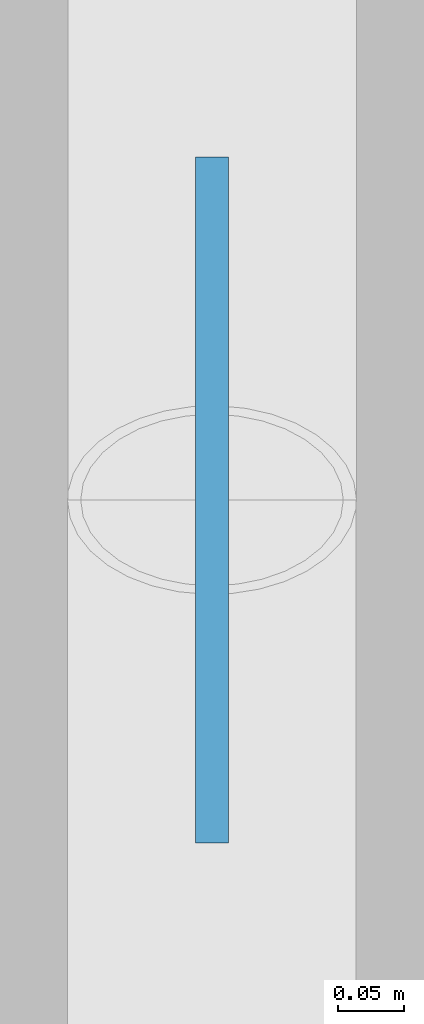
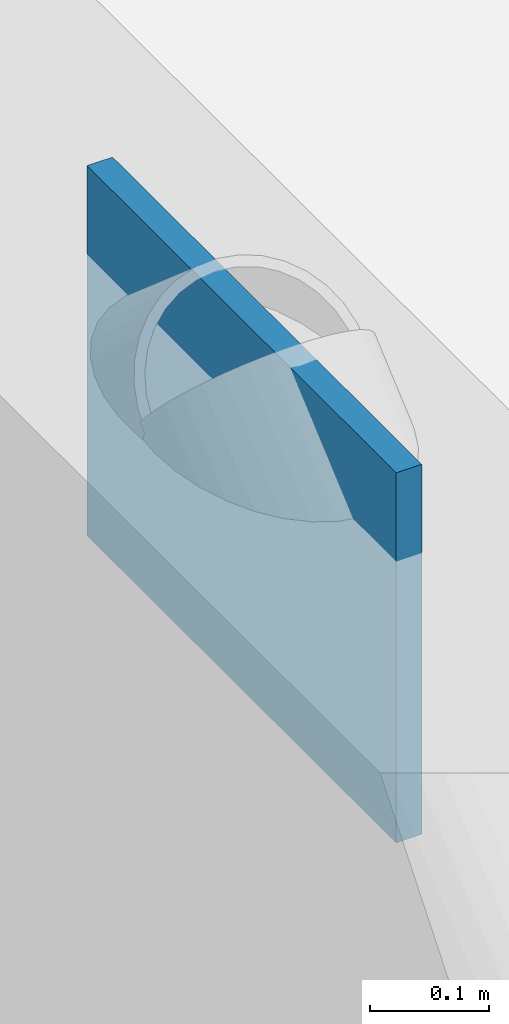
# One storey, part 162 of 184: 1 discrete accessory.
"""IFC4 building model written with IfcOpenShell, lengths in metres."""

from ifc_helpers import new_model, si_unit, direction, frame, origin, origin_2d, place, context, subcontext, project, spatial, rectangle, extrude, material, type_object, element, save


model = new_model("IFC4")

# Units and contexts
model_context = context("Model", 3, precision=1e-05, world=origin(), true_north=direction((0.0, 1.0)))
body_context = subcontext(model_context, "Body", "Model", "MODEL_VIEW")
ifc_project = project(units=[si_unit("LENGTHUNIT", "METRE"), si_unit("AREAUNIT", "SQUARE_METRE"), si_unit("VOLUMEUNIT", "CUBIC_METRE"), si_unit("PLANEANGLEUNIT", "RADIAN"), si_unit("MASSUNIT", "GRAM", prefix="KILO")], contexts=[model_context])

# Site, building, storey
site_placement = place(None, origin())
site = spatial("IfcSite", under=ifc_project, at=site_placement, CompositionType="ELEMENT")
building_placement = place(site_placement, origin())
building = spatial("IfcBuilding", under=site, at=building_placement, Name="Qalvenar Corner Mobility Hub", CompositionType="ELEMENT")
storey_placement = place(building_placement, frame((0.0, 0.0, 9.0)))
storey = spatial("IfcBuildingStorey", under=building, at=storey_placement, Name="L02", CompositionType="ELEMENT", Elevation=9.0)

# Discrete accessory
ifc_material = material(Name="Steel S355", Category="steel")
discrete_accessory_type = type_object("IfcDiscreteAccessoryType", Name="ACC-GUSSET-PLT", PredefinedType="BRACKET", material=ifc_material)
discrete_accessory_placement = place(storey_placement, frame((0.0, 29.39990234375, 3.330078125), z_axis=(0.0, 0.0, 1.0), x_axis=(0.0, 1.0, 0.0)))
element("IfcDiscreteAccessory", 1, at=discrete_accessory_placement, inside=storey, type_object=discrete_accessory_type, Name="Chevron Apex Gusset Plate GP-A-022", PredefinedType="BRACKET", context=body_context, shape_type="SweptSolid", body=[
    extrude(rectangle(XDim=0.52001953125, YDim=0.02490234375, at=origin_2d()), origin(), (0.0, 0.0, 1.0), 0.3798828125),
])

save(model, "model.ifc")
